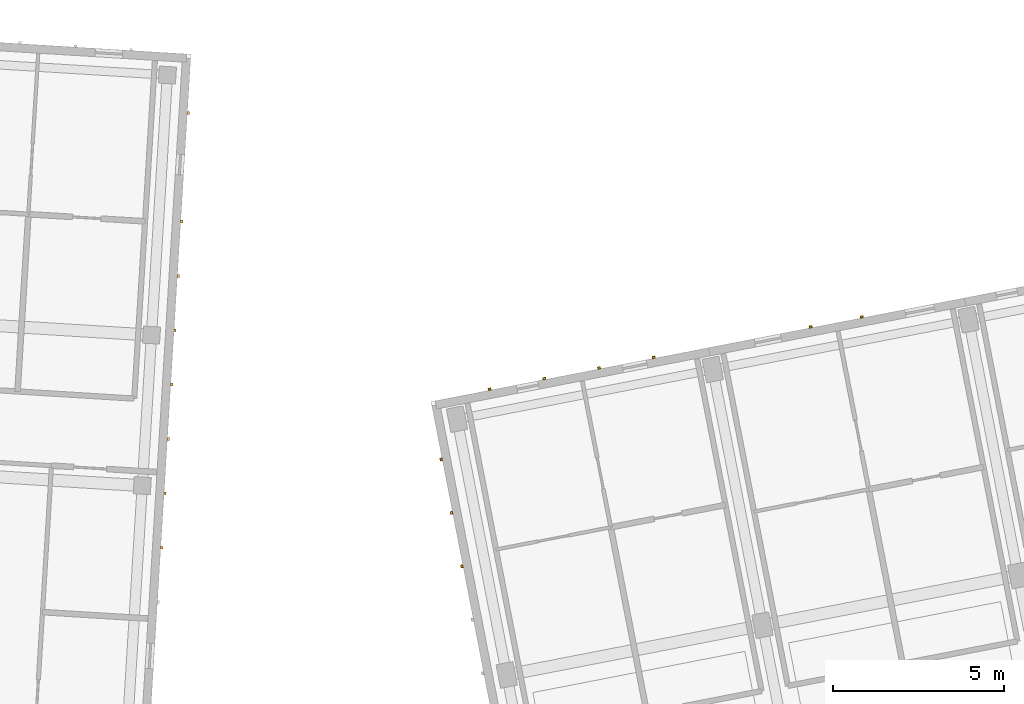
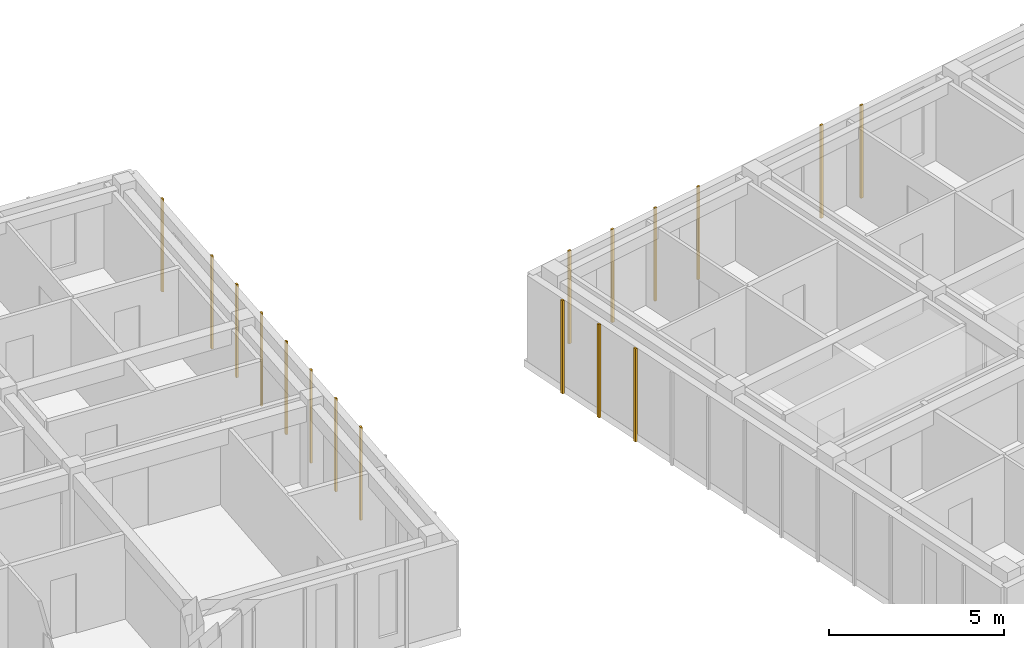
# One storey, part 103 of 127: 17 coverings.
"""IFC4 building model written with IfcOpenShell, lengths in metres."""

import ifcopenshell
import ifcopenshell.guid

model = None  # the IFC model being written
_history = None  # IfcOwnerHistory: only IFC2X3 demands one
_inside = {}  # id of a spatial element -> (the spatial element, [elements in it])
_under = {}  # id of a project, library or spatial element -> (it, [spatial elements below it])
_declared = {}  # id of a project -> (the project, [libraries it declares])
_typed = {}  # id of a type object -> (the type object, [elements of that type])
_made_of = {}  # id of a material, layer set ... -> (it, [elements and type objects made of it])


def new_model(schema):
    """Start an empty IFC model of exactly this schema.

    Asked for "IFC4X3", IfcOpenShell would pick the latest addendum, in which some entities
    have other attributes; the version numbers below select the first issue.
    IFC2X3 requires an IfcOwnerHistory on every rooted entity: one is made here for all.
    """
    global model, _history
    if schema == "IFC4X3":
        model = ifcopenshell.file(schema_version=(4, 3, 0, 0))
    else:
        model = ifcopenshell.file(schema=schema)
    _inside.clear()
    _under.clear()
    _declared.clear()
    _typed.clear()
    _made_of.clear()
    _history = None
    if model.schema == "IFC2X3":
        org = make("IfcOrganization", Name="unknown")
        user = make(
            "IfcPersonAndOrganization",
            ThePerson=make("IfcPerson", FamilyName="unknown"),
            TheOrganization=org,
        )
        app = make(
            "IfcApplication",
            ApplicationDeveloper=org,
            Version="unknown",
            ApplicationFullName="unknown",
            ApplicationIdentifier="unknown",
        )
        _history = make(
            "IfcOwnerHistory",
            OwningUser=user,
            OwningApplication=app,
            ChangeAction="ADDED",
            CreationDate=0,
        )
    return model


def make(cls, **values):
    """One entity of the class cls with the attributes given. An attribute that is None is left unset."""
    return model.create_entity(
        cls, **{name: value for name, value in values.items() if value is not None}
    )


def rooted(cls, **values):
    """An entity with a GlobalId (a new one), such as an element, a storey or a relation."""
    return make(cls, GlobalId=ifcopenshell.guid.new(), OwnerHistory=_history, **values)


def si_unit(unit_type, name, prefix=None):
    """IfcSIUnit, for example si_unit("LENGTHUNIT", "METRE", prefix="MILLI")."""
    return make("IfcSIUnit", UnitType=unit_type, Prefix=prefix, Name=name)


def assignment(units):
    """IfcUnitAssignment: the units of a project."""
    return None if units is None else make("IfcUnitAssignment", Units=units)


def point(xyz):
    """IfcCartesianPoint."""
    return None if xyz is None else make("IfcCartesianPoint", Coordinates=xyz)


def direction(xyz):
    """IfcDirection."""
    return None if xyz is None else make("IfcDirection", DirectionRatios=xyz)


def frame(location, z_axis=None, x_axis=None):
    """IfcAxis2Placement3D, a coordinate frame: its origin and axes. An axis left out is left unset."""
    return make(
        "IfcAxis2Placement3D",
        Location=point(location),
        Axis=direction(z_axis),
        RefDirection=direction(x_axis),
    )


def frame_2d(location, x_axis=None):
    """IfcAxis2Placement2D, a coordinate frame in the plane: its origin and x axis."""
    return make(
        "IfcAxis2Placement2D", Location=point(location), RefDirection=direction(x_axis)
    )


def origin():
    """The frame at (0, 0, 0) with its axes left unset."""
    return frame((0.0, 0.0, 0.0))


def origin_2d():
    """The frame at (0, 0) in the plane with its x axis left unset."""
    return frame_2d((0.0, 0.0))


def place(relative_to, where):
    """IfcLocalPlacement: puts the frame where relative to a parent placement (None: the world)."""
    return make(
        "IfcLocalPlacement", PlacementRelTo=relative_to, RelativePlacement=where
    )


def context(
    kind, dimensions, precision=None, world=None, true_north=None, identifier=None
):
    """IfcGeometricRepresentationContext, for example the 3D "Model" context."""
    return make(
        "IfcGeometricRepresentationContext",
        ContextIdentifier=identifier,
        ContextType=kind,
        CoordinateSpaceDimension=dimensions,
        Precision=precision,
        WorldCoordinateSystem=world,
        TrueNorth=true_north,
    )


def subcontext(parent, identifier, kind, view, scale=None):
    """IfcGeometricRepresentationSubContext, for example "Body" below "Model"."""
    return make(
        "IfcGeometricRepresentationSubContext",
        ContextIdentifier=identifier,
        ContextType=kind,
        ParentContext=parent,
        TargetScale=scale,
        TargetView=view,
    )


def project(units=None, contexts=None):
    """IfcProject with its units and contexts."""
    return rooted(
        "IfcProject",
        Name="project",
        RepresentationContexts=contexts,
        UnitsInContext=assignment(units),
    )


def spatial(cls, under=None, at=None, **own):
    """A site, building, storey or space (cls), placed at a placement, below another one or the project."""
    s = rooted(cls, ObjectPlacement=at, **own)
    if under is not None:
        _under.setdefault(under.id(), (under, []))[1].append(s)
    return s


def profile(cls, at=None, kind="AREA", **sizes):
    """A parametric profile (cls). Its sizes go by their IFC names, for example OverallWidth=200.0."""
    return make(cls, ProfileType=kind, Position=at, **sizes)


def rectangle(**sizes):
    """IfcRectangleProfileDef."""
    return profile("IfcRectangleProfileDef", **sizes)


def extrude(swept, where, along, depth):
    """IfcExtrudedAreaSolid: the profile swept, set in the frame where, extruded along a direction by depth."""
    return make(
        "IfcExtrudedAreaSolid",
        SweptArea=swept,
        Position=where,
        ExtrudedDirection=direction(along),
        Depth=depth,
    )


def shape(context_of_items, identifier, shape_type, items):
    """IfcShapeRepresentation: the items that make up one representation, for example the "Body"."""
    return make(
        "IfcShapeRepresentation",
        ContextOfItems=context_of_items,
        RepresentationIdentifier=identifier,
        RepresentationType=shape_type,
        Items=items,
    )


def material(Name=None, Category=None):
    """IfcMaterial."""
    return make("IfcMaterial", Name=Name, Category=Category)


def layer(
    of_material, thickness, ventilated=None, Name=None, Category=None, Priority=None
):
    """IfcMaterialLayer: one layer of a wall or slab, of a material (None: an air gap)."""
    return make(
        "IfcMaterialLayer",
        Material=of_material,
        LayerThickness=thickness,
        IsVentilated=ventilated,
        Name=Name,
        Category=Category,
        Priority=Priority,
    )


def layer_set(layers, Name=None):
    """IfcMaterialLayerSet."""
    return make("IfcMaterialLayerSet", MaterialLayers=layers, LayerSetName=Name)


def made_of(thing, what):
    """Note that an element or type object is made of a material, layer set ...; save() writes the relation."""
    if what is not None:
        _made_of.setdefault(what.id(), (what, []))[1].append(thing)
    return thing


def type_object(cls, material=None, **own):
    """A type object (cls), such as IfcWallType, which elements share."""
    return made_of(rooted(cls, **own), material)


def element(
    cls,
    number,
    at=None,
    inside=None,
    cuts=None,
    type_object=None,
    material=None,
    context=None,
    identifier="Body",
    shape_type=None,
    held_by="IfcProductDefinitionShape",
    body=None,
    shapes=None,
    **own,
):
    """One element of the class cls, such as IfcWall. Its Tag is "e" and its number.

    at: its placement. inside: the storey or other place that contains it. cuts: it is an
    opening in that element (IfcRelVoidsElement). A single representation is given by context,
    identifier, shape_type and body (its items); several are given by shapes. held_by: the class
    of the entity that holds the representations. save() writes the other relations.
    """
    e = rooted(cls, Tag="e%d" % number, ObjectPlacement=at, **own)
    if body is not None:
        shapes = [shape(context, identifier, shape_type, body)]
    if shapes is not None:
        e.Representation = make(held_by, Representations=shapes)
    if inside is not None:
        _inside.setdefault(inside.id(), (inside, []))[1].append(e)
    if cuts is not None:
        rooted(
            "IfcRelVoidsElement", RelatingBuildingElement=cuts, RelatedOpeningElement=e
        )
    if type_object is not None:
        _typed.setdefault(type_object.id(), (type_object, []))[1].append(e)
    return made_of(e, material)


def aggregate(whole, parts):
    """IfcRelAggregates: a whole, such as a stair, and the parts it consists of."""
    return rooted("IfcRelAggregates", RelatingObject=whole, RelatedObjects=parts)


def save(model, path):
    """Write the relations noted so far, then the file.

    IfcRelAggregates (storeys below a building ...), IfcRelContainedInSpatialStructure (elements
    in a storey), IfcRelDefinesByType, IfcRelAssociatesMaterial and IfcRelDeclares: one each for
    every whole, place, type object, material and project.
    """
    for whole, parts in _under.values():
        aggregate(whole, parts)
    for where, things in _inside.values():
        rooted(
            "IfcRelContainedInSpatialStructure",
            RelatedElements=things,
            RelatingStructure=where,
        )
    for kind, things in _typed.values():
        rooted("IfcRelDefinesByType", RelatedObjects=things, RelatingType=kind)
    for what, things in _made_of.values():
        rooted("IfcRelAssociatesMaterial", RelatedObjects=things, RelatingMaterial=what)
    for by, libraries in _declared.values():
        rooted("IfcRelDeclares", RelatingContext=by, RelatedDefinitions=libraries)
    model.write(path)


model = new_model("IFC4")

# Units and contexts
model_context = context("Model", 3, precision=1e-05, world=origin(), true_north=direction((0.0, 1.0)))
body_context = subcontext(model_context, "Body", "Model", "MODEL_VIEW")
ifc_project = project(units=[si_unit("LENGTHUNIT", "METRE"), si_unit("AREAUNIT", "SQUARE_METRE"), si_unit("VOLUMEUNIT", "CUBIC_METRE"), si_unit("PLANEANGLEUNIT", "RADIAN"), si_unit("MASSUNIT", "GRAM", prefix="KILO")], contexts=[model_context])

# Site, building, storey
site_placement = place(None, origin())
site = spatial("IfcSite", under=ifc_project, at=site_placement, CompositionType="ELEMENT")
building_placement = place(site_placement, origin())
building = spatial("IfcBuilding", under=site, at=building_placement, Name="Kestramere Prow Commons", CompositionType="ELEMENT")
storey_placement = place(building_placement, frame((0.0, 0.0, 8.39990234375)))
storey = spatial("IfcBuildingStorey", under=building, at=storey_placement, Name="L02", CompositionType="ELEMENT", Elevation=8.39990234375)

# Coverings
ifc_material = material(Name="Weathered Zinc-Titanium Standing-Seam Cladding")
ifc_layer = layer(ifc_material, 0.074951171875)
ifc_layer_set = layer_set([ifc_layer], Name="Weathered Zinc-Titanium Standing-Seam Cladding")
covering_type = type_object("IfcCoveringType", Name="COV-CLAD-SEAM", PredefinedType="CLADDING", material=ifc_layer_set)
for number, where, z_axis, x_axis, name in (
    (1, (106.82275390625, 62.1767578125, -0.25), (0.0, 0.0, 1.0), (-0.061048539535, -0.998134798422, 0.0), "EW-C-L02-EAV Standing-Seam Rib 1"),
    (2, (106.62890625, 59.005859375, -0.25), (0.0, 0.0, 1.0), (-0.061048539535, -0.998134798422, 0.0), "EW-C-L02-EAV Standing-Seam Rib 3"),
    (3, (106.531982421875, 57.42041015625, -0.25), (0.0, 0.0, 1.0), (-0.061048539535, -0.998134798422, 0.0), "EW-C-L02-EAV Standing-Seam Rib 4"),
    (4, (106.434814453125, 55.834716796875, -0.25), (0.0, 0.0, 1.0), (-0.061048539535, -0.998134798422, 0.0), "EW-C-L02-EAV Standing-Seam Rib 5"),
    (5, (106.337890625, 54.249267578125, -0.25), (0.0, 0.0, 1.0), (-0.061048539535, -0.998134798422, 0.0), "EW-C-L02-EAV Standing-Seam Rib 6"),
    (6, (106.240966796875, 52.663818359375, -0.25), (0.0, 0.0, 1.0), (-0.061048539535, -0.998134798422, 0.0), "EW-C-L02-EAV Standing-Seam Rib 7"),
    (7, (106.14404296875, 51.078369140625, -0.25), (0.0, 0.0, 1.0), (-0.061048539535, -0.998134798422, 0.0), "EW-C-L02-EAV Standing-Seam Rib 8"),
    (8, (106.047119140625, 49.492919921875, -0.25), (0.0, 0.0, 1.0), (-0.061048539535, -0.998134798422, 0.0), "EW-C-L02-EAV Standing-Seam Rib 9"),
    (9, (115.610595703125, 54.11474609375, -0.25), (0.0, 0.0, 1.0), (0.981627183448, 0.190808995377, 0.0), "EW-D-L02-N-0 Standing-Seam Rib 1"),
    (10, (117.205810546875, 54.4248046875, -0.25), (0.0, 0.0, 1.0), (0.981627183448, 0.190808995377, 0.0), "EW-D-L02-N-0 Standing-Seam Rib 2"),
    (11, (118.801025390625, 54.73486328125, -0.25), (0.0, 0.0, 1.0), (0.981627183448, 0.190808995377, 0.0), "EW-D-L02-N-0 Standing-Seam Rib 3"),
    (12, (120.39599609375, 55.044921875, -0.25), (0.0, 0.0, 1.0), (0.981627183448, 0.190808995377, 0.0), "EW-D-L02-N-0 Standing-Seam Rib 4"),
    (13, (124.975341796875, 55.93505859375, -0.25), (0.0, 0.0, 1.0), (0.981627183448, 0.190808995377, 0.0), "EW-D-L02-N-1 Standing-Seam Rib 2"),
    (14, (126.467529296875, 56.22509765625, -0.25), (0.0, 0.0, 1.0), (0.981627183448, 0.190808995377, 0.0), "EW-D-L02-N-1 Standing-Seam Rib 3"),
    (15, (114.80419921875, 48.9482421875, -0.25), (0.0, 0.0, 1.0), (-0.190808995377, 0.981627183448, 0.0), "EW-D-L02-EAV Standing-Seam Rib 10"),
    (16, (114.501220703125, 50.50732421875, -0.25), (0.0, 0.0, 1.0), (-0.190808995377, 0.981627183448, 0.0), "EW-D-L02-EAV Standing-Seam Rib 11"),
    (17, (114.197998046875, 52.066650390625, -0.25), (0.0, 0.0, 1.0), (-0.190808995377, 0.981627183448, 0.0), "EW-D-L02-EAV Standing-Seam Rib 12"),
):
    element("IfcCovering", number, at=place(storey_placement, frame(where, z_axis=z_axis, x_axis=x_axis)), inside=storey, type_object=covering_type, Name=name, PredefinedType="CLADDING", context=body_context, shape_type="SweptSolid", body=[
        extrude(rectangle(XDim=0.0849609375, YDim=0.06494140625, at=origin_2d()), origin(), (0.0, 0.0, 1.0), 3.25),
    ])

save(model, "model.ifc")
